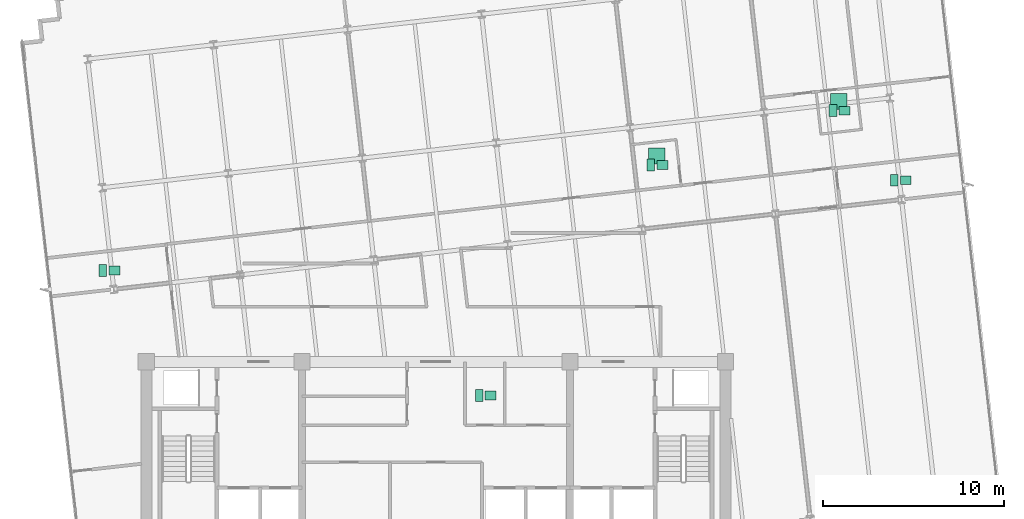
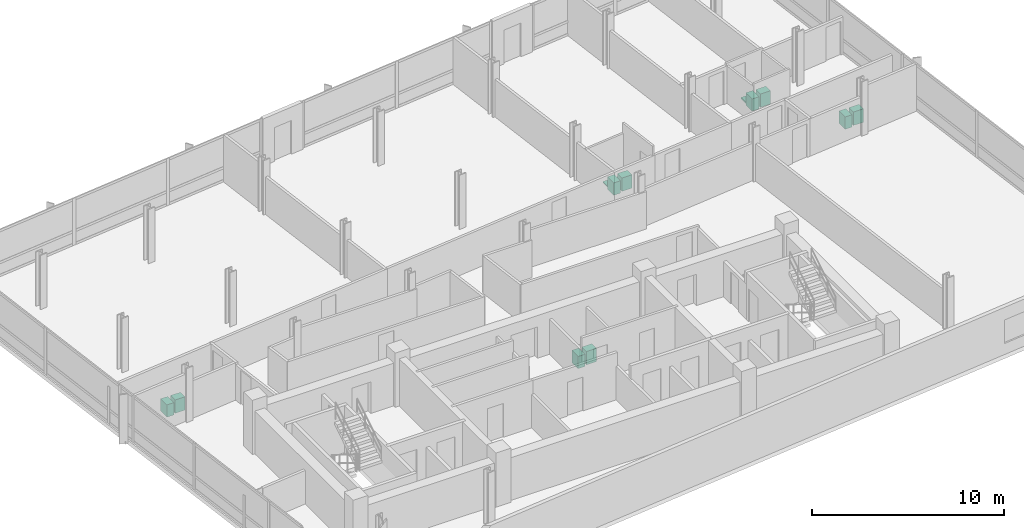
# One storey, part 14 of 14: 12 sanitary terminals.
"""IFC4 building model written with IfcOpenShell, lengths in metres."""

from ifc_helpers import new_model, si_unit, direction, frame, origin, origin_2d, place, context, subcontext, project, spatial, rectangle, extrude, material, type_object, element, save


model = new_model("IFC4")

# Units and contexts
model_context = context("Model", 3, precision=1e-05, world=origin(), true_north=direction((0.0, 1.0)))
body_context = subcontext(model_context, "Body", "Model", "MODEL_VIEW")
ifc_project = project(units=[si_unit("LENGTHUNIT", "METRE"), si_unit("AREAUNIT", "SQUARE_METRE"), si_unit("VOLUMEUNIT", "CUBIC_METRE"), si_unit("PLANEANGLEUNIT", "RADIAN"), si_unit("MASSUNIT", "GRAM", prefix="KILO")], contexts=[model_context])

# Site, building, storey
site_placement = place(None, origin())
site = spatial("IfcSite", under=ifc_project, at=site_placement, CompositionType="ELEMENT")
building_placement = place(site_placement, origin())
building = spatial("IfcBuilding", under=site, at=building_placement, Name="Solmavex Isthmus Hotel", CompositionType="ELEMENT")
storey_placement = place(building_placement, frame((0.0, 0.0, 236.550048828125)))
storey = spatial("IfcBuildingStorey", under=building, at=storey_placement, Name="L64", CompositionType="ELEMENT", Elevation=236.550048828125)

# Sanitary terminals
ifc_material = material(Name="Vitreous china ceramic", Category="ceramic")
sanitary_terminal_type_1 = type_object("IfcSanitaryTerminalType", Name="SAN-BASIN", PredefinedType="WASHHANDBASIN", material=ifc_material)
for number, where, z_axis, x_axis, name in (
    (1, (3.02001953125, -4.360107421875, 0.0), (0.0, 0.0, 1.0), (1.0, 0.0, 0.0), "Vanity Washbasin L64-321"),
    (2, (12.509765625, 8.37109375, 0.0), (0.0, 0.0, 1.0), (1.0, 0.0, 0.0), "Vanity Washbasin L64-322"),
    (3, (22.57421875, 11.377685546875, 0.0), (0.0, 0.0, 1.0), (1.0, 0.0, 0.0), "Vanity Washbasin L64-323"),
    (4, (-17.761474609375, 2.546875, 0.0), (0.0, 0.0, 1.0), (1.0, 0.0, 0.0), "Vanity Washbasin L64-324"),
    (5, (25.956787109375, 7.52783203125, 0.0), (0.0, 0.0, 1.0), (1.0, 0.0, 0.0), "Vanity Washbasin L64-325"),
):
    element("IfcSanitaryTerminal", number, at=place(storey_placement, frame(where, z_axis=z_axis, x_axis=x_axis)), inside=storey, type_object=sanitary_terminal_type_1, Name=name, PredefinedType="WASHHANDBASIN", context=body_context, shape_type="SweptSolid", body=[
        extrude(rectangle(XDim=0.60009765625, YDim=0.47998046875, at=origin_2d()), origin(), (0.0, 0.0, 1.0), 0.85009765625),
    ])
sanitary_terminal_type_2 = type_object("IfcSanitaryTerminalType", Name="SAN-SHOWER", PredefinedType="SHOWER", material=ifc_material)
for number, where, z_axis, x_axis, name in (
    (6, (12.189697265625, 8.87109375, 0.0), (0.0, 0.0, 1.0), (1.0, 0.0, 0.0), "Walk-In Shower L64-322"),
    (7, (22.254150390625, 11.877685546875, 0.0), (0.0, 0.0, 1.0), (1.0, 0.0, 0.0), "Walk-In Shower L64-323"),
):
    element("IfcSanitaryTerminal", number, at=place(storey_placement, frame(where, z_axis=z_axis, x_axis=x_axis)), inside=storey, type_object=sanitary_terminal_type_2, Name=name, PredefinedType="SHOWER", context=body_context, shape_type="SweptSolid", body=[
        extrude(rectangle(XDim=0.89990234375, YDim=0.89990234375, at=origin_2d()), origin(), (0.0, 0.0, 1.0), 0.080078125),
    ])
sanitary_terminal_type_3 = type_object("IfcSanitaryTerminalType", Name="SAN-WC-SUITE", PredefinedType="TOILETPAN", material=ifc_material)
for number, where, z_axis, x_axis, name in (
    (8, (2.3798828125, -4.360107421875, 0.0), (0.0, 0.0, 1.0), (1.0, 0.0, 0.0), "Water Closet L64-321"),
    (9, (11.869873046875, 8.37109375, 0.0), (0.0, 0.0, 1.0), (1.0, 0.0, 0.0), "Water Closet L64-322"),
    (10, (21.93408203125, 11.377685546875, 0.0), (0.0, 0.0, 1.0), (1.0, 0.0, 0.0), "Water Closet L64-323"),
    (11, (-18.401611328125, 2.546875, 0.0), (0.0, 0.0, 1.0), (1.0, 0.0, 0.0), "Water Closet L64-324"),
    (12, (25.316650390625, 7.52783203125, 0.0), (0.0, 0.0, 1.0), (1.0, 0.0, 0.0), "Water Closet L64-325"),
):
    element("IfcSanitaryTerminal", number, at=place(storey_placement, frame(where, z_axis=z_axis, x_axis=x_axis)), inside=storey, type_object=sanitary_terminal_type_3, Name=name, PredefinedType="TOILETPAN", context=body_context, shape_type="SweptSolid", body=[
        extrude(rectangle(XDim=0.419921875, YDim=0.64990234375, at=origin_2d()), origin(), (0.0, 0.0, 1.0), 0.780029296875),
    ])

save(model, "model.ifc")
